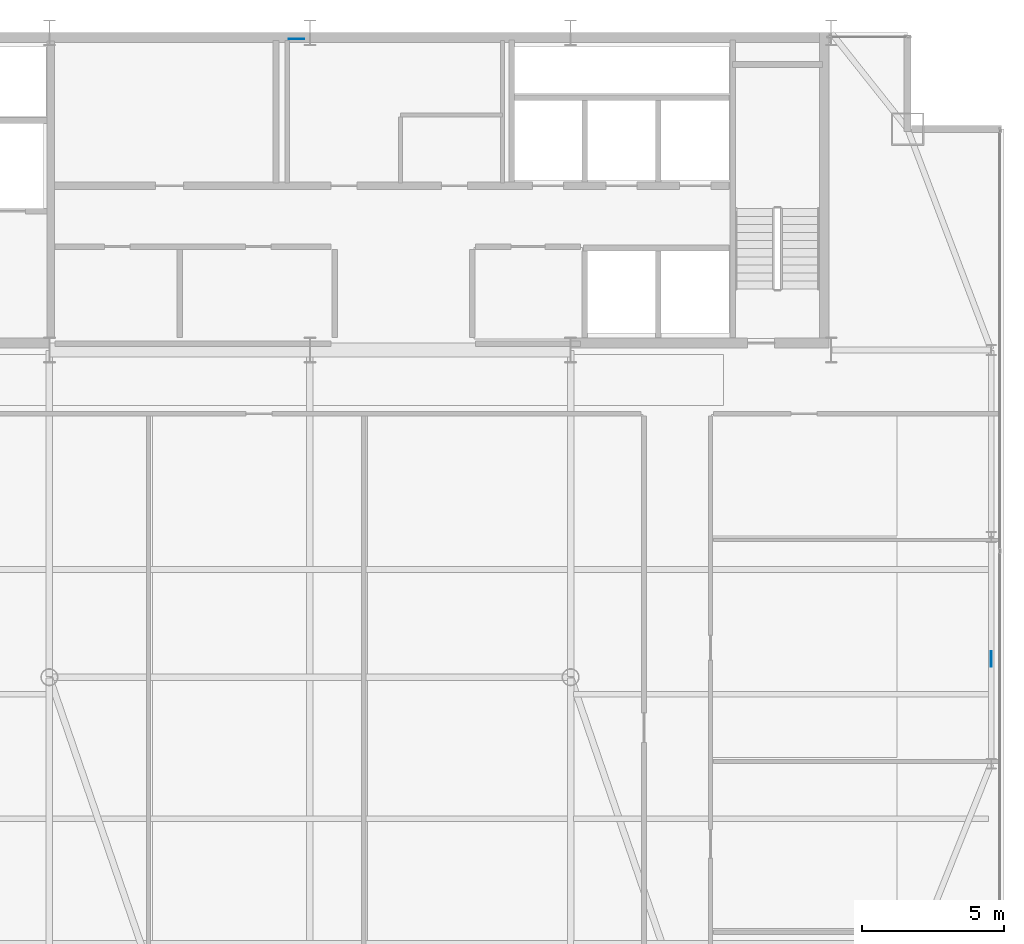
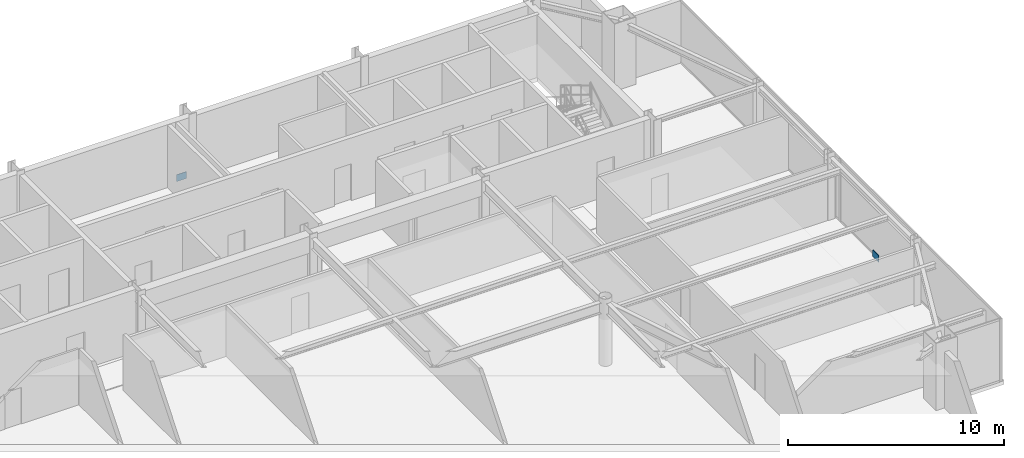
# One storey, part 25 of 30: 2 plates.
"""IFC4 building model written with IfcOpenShell, lengths in metres."""

from ifc_helpers import new_model, si_unit, direction, frame, origin, origin_2d, place, context, subcontext, project, spatial, rectangle, extrude, source, transform, mapped, material, layer, layer_set, type_object, type_shapes, element, save


model = new_model("IFC4")

# Units and contexts
model_context = context("Model", 3, precision=1e-05, world=origin(), true_north=direction((0.0, 1.0)))
body_context = subcontext(model_context, "Body", "Model", "MODEL_VIEW")
ifc_project = project(units=[si_unit("LENGTHUNIT", "METRE"), si_unit("AREAUNIT", "SQUARE_METRE"), si_unit("VOLUMEUNIT", "CUBIC_METRE"), si_unit("PLANEANGLEUNIT", "RADIAN"), si_unit("MASSUNIT", "GRAM", prefix="KILO")], contexts=[model_context])

# Site, building, storey
site_placement = place(None, origin())
site = spatial("IfcSite", under=ifc_project, at=site_placement, CompositionType="ELEMENT")
building_placement = place(site_placement, origin())
building = spatial("IfcBuilding", under=site, at=building_placement, Name="Varnel Quay Broadcast Tower", CompositionType="ELEMENT")
storey_placement = place(building_placement, frame((0.0, 0.0, 207.39990234375)))
storey = spatial("IfcBuildingStorey", under=building, at=storey_placement, Name="L51", CompositionType="ELEMENT", Elevation=207.39990234375)

# Plates
ifc_material = material(Name="Structural Steel CSA G40.21 350WT", Category="steel")
ifc_layer = layer(ifc_material, 0.031982421875, Name="Structural Steel CSA G40.21 350WT")
ifc_layer_set = layer_set([ifc_layer], Name="Structural Steel CSA G40.21 350WT")
plate_type = type_object("IfcPlateType", Name="Plate_EndCap", PredefinedType="USERDEFINED", material=ifc_layer_set)
shared_shape = source(origin(), body_context, "Body", "SweptSolid", [
    extrude(rectangle(XDim=0.5400390625, YDim=0.031982421875, at=origin_2d()), origin(), (0.0, 0.0, 1.0), 0.3798828125),
])
type_shapes(plate_type, [shared_shape])
for number, where, z_axis, x_axis, name in (
    (1, (33.524169921875, 46.580078125, 0.07080078125), (0.0, 0.0, 1.0), (1.0, 0.0, 0.0), "Zone 4 Mega-Brace N-CT1 Diag B2 End Connection Plate P0"),
    (2, (58.050048828125, 24.693359375, 0.256591796875), (0.0, 0.0, 1.0), (0.0, 1.0, 0.0), "Zone 4 Mega-Brace E-FT1 Diag B2 End Connection Plate P0"),
):
    element("IfcPlate", number, at=place(storey_placement, frame(where, z_axis=z_axis, x_axis=x_axis)), inside=storey, type_object=plate_type, Name=name, ObjectType="CAP_PLATE", PredefinedType="USERDEFINED", context=body_context, shape_type="MappedRepresentation", body=[
        mapped(shared_shape, transform((0.0, 0.0, 0.0), x_axis=(1.0, 0.0, 0.0), y_axis=(0.0, 1.0, 0.0), z_axis=(0.0, 0.0, 1.0), scale=1.0)),
    ])

save(model, "model.ifc")
